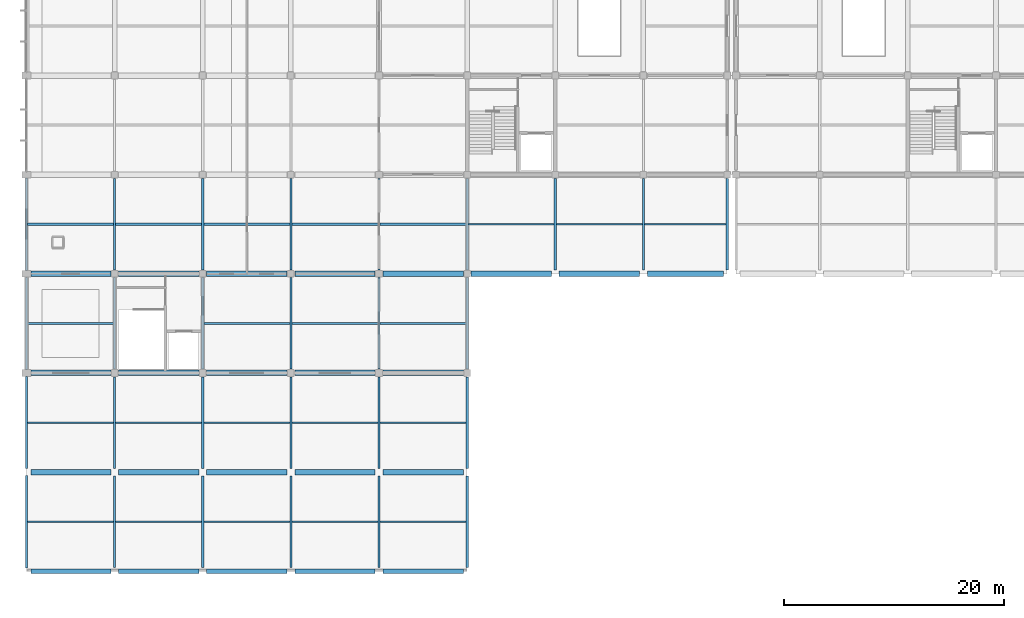
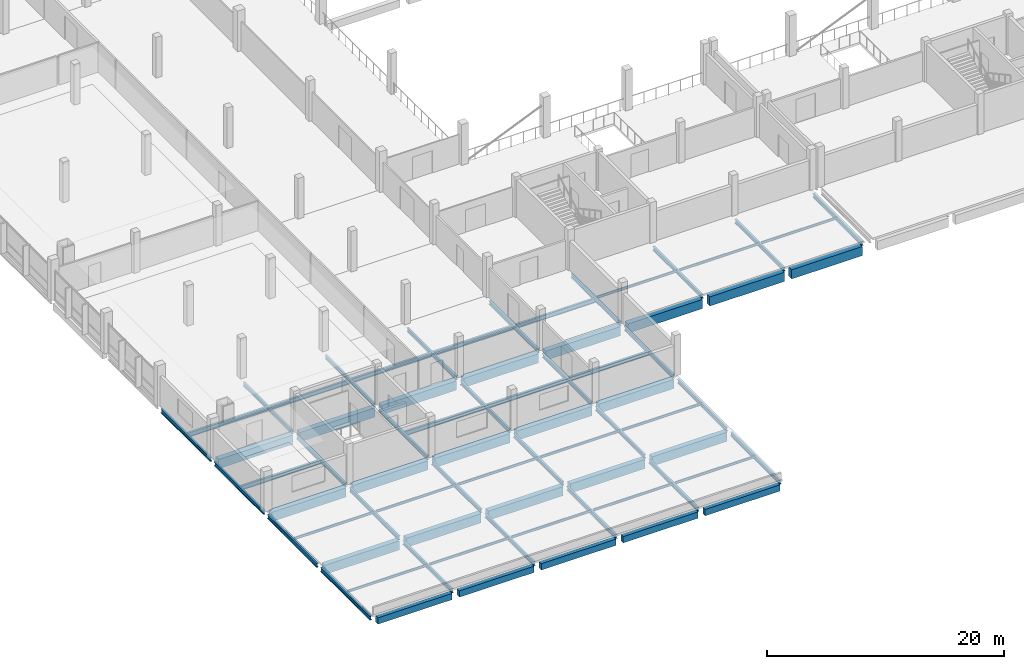
# One storey, part 6 of 57: 72 beams.
"""IFC4 building model written with IfcOpenShell, lengths in metres."""

from ifc_helpers import new_model, si_unit, direction, frame, origin, origin_2d, place, context, subcontext, project, spatial, rectangle, i_section, extrude, material, material_profile, profile_set, type_object, element, save


model = new_model("IFC4")

# Units and contexts
model_context = context("Model", 3, precision=1e-05, world=origin(), true_north=direction((0.0, 1.0)))
body_context = subcontext(model_context, "Body", "Model", "MODEL_VIEW")
ifc_project = project(units=[si_unit("LENGTHUNIT", "METRE"), si_unit("AREAUNIT", "SQUARE_METRE"), si_unit("VOLUMEUNIT", "CUBIC_METRE"), si_unit("PLANEANGLEUNIT", "RADIAN"), si_unit("MASSUNIT", "GRAM", prefix="KILO"), si_unit("THERMODYNAMICTEMPERATUREUNIT", "KELVIN"), si_unit("POWERUNIT", "WATT")], contexts=[model_context])

# Site, building, storey
site_placement = place(None, origin())
site = spatial("IfcSite", under=ifc_project, at=site_placement, CompositionType="ELEMENT")
building_placement = place(site_placement, origin())
building = spatial("IfcBuilding", under=site, at=building_placement, Name="Kronsvod Quay Wholesale Market", CompositionType="ELEMENT")
storey_placement = place(building_placement, frame((0.0, 0.0, 4.800048828125)))
storey = spatial("IfcBuildingStorey", under=building, at=storey_placement, Name="L01", CompositionType="ELEMENT", Elevation=4.800048828125)

# Beams
ifc_material_1 = material(Name="Steel S355", Category="steel")
ifc_material_profile_1 = material_profile(ifc_material_1, i_section(OverallWidth=0.125, OverallDepth=0.25, WebThickness=0.006103515625, FlangeThickness=0.009033203125, FilletRadius=0.011962890625, at=origin_2d()), Name="25B2")
ifc_profile_set_1 = profile_set([ifc_material_profile_1], Name="Steel S355")
beam_type_1 = type_object("IfcBeamType", Name="Beam_Steel25B2", PredefinedType="BEAM", material=ifc_profile_set_1)
for number, where, z_axis, x_axis, name in (
    (1, (0.094970703125, 4.5, -0.31494140625), (1.0, 0.0, 0.0), (0.0, 1.0, 0.0), "JSTX-L01-0-0"),
    (2, (0.094970703125, 13.5, -0.31494140625), (1.0, 0.0, 0.0), (0.0, 1.0, 0.0), "JSTX-L01-0-90"),
    (3, (8.094970703125, 4.5, -0.31494140625), (1.0, 0.0, 0.0), (0.0, 1.0, 0.0), "JSTX-L01-80-0"),
    (4, (8.094970703125, 13.5, -0.31494140625), (1.0, 0.0, 0.0), (0.0, 1.0, 0.0), "JSTX-L01-80-90"),
    (5, (16.094970703125, 4.5, -0.31494140625), (1.0, 0.0, 0.0), (0.0, 1.0, 0.0), "JSTX-L01-160-0"),
    (6, (16.094970703125, 13.5, -0.31494140625), (1.0, 0.0, 0.0), (0.0, 1.0, 0.0), "JSTX-L01-160-90"),
    (7, (24.094970703125, 4.5, -0.31494140625), (1.0, 0.0, 0.0), (0.0, 1.0, 0.0), "JSTX-L01-240-0"),
    (8, (24.094970703125, 13.5, -0.31494140625), (1.0, 0.0, 0.0), (0.0, 1.0, 0.0), "JSTX-L01-240-90"),
    (9, (32.094970703125, 4.5, -0.31494140625), (1.0, 0.0, 0.0), (0.0, 1.0, 0.0), "JSTX-L01-320-0"),
    (10, (32.094970703125, 13.5, -0.31494140625), (1.0, 0.0, 0.0), (0.0, 1.0, 0.0), "JSTX-L01-320-90"),
    (11, (40.094970703125, 31.5, -0.31494140625), (1.0, 0.0, 0.0), (0.0, 1.0, 0.0), "JSTX-L01-400-270"),
    (12, (48.094970703125, 31.5, -0.31494140625), (1.0, 0.0, 0.0), (0.0, 1.0, 0.0), "JSTX-L01-480-270"),
):
    element("IfcBeam", number, at=place(storey_placement, frame(where, z_axis=z_axis, x_axis=x_axis)), inside=storey, type_object=beam_type_1, Name=name, PredefinedType="BEAM", context=body_context, shape_type="SweptSolid", body=[
        extrude(i_section(OverallWidth=0.125, OverallDepth=0.25, WebThickness=0.006103515625, FlangeThickness=0.009033203125, FilletRadius=0.011962890625, at=origin_2d()), origin(), (0.0, 0.0, 1.0), 7.81005859375),
    ])
beam_1_placement = place(storey_placement, frame((56.094970703125, 31.5, -0.31494140625), z_axis=(1.0, 0.0, 0.0), x_axis=(0.0, 1.0, 0.0)))
element("IfcBeam", 13, at=beam_1_placement, inside=storey, type_object=beam_type_1, Name="JSTX-L01-560-270", PredefinedType="BEAM", context=body_context, shape_type="SweptSolid", body=[
    extrude(i_section(OverallWidth=0.125, OverallDepth=0.25, WebThickness=0.006103515625, FlangeThickness=0.009033203125, FilletRadius=0.011962890625, at=origin_2d()), origin(), (0.0, 0.0, 1.0), 7.409912109375),
])
ifc_material_2 = material(Name="Steel S355", Category="steel")
ifc_material_profile_2 = material_profile(ifc_material_2, i_section(OverallWidth=0.199951171875, OverallDepth=0.39990234375, WebThickness=0.008056640625, FlangeThickness=0.012939453125, FilletRadius=0.01611328125, at=origin_2d()), Name="40B2")
ifc_profile_set_2 = profile_set([ifc_material_profile_2], Name="Steel S355")
beam_type_2 = type_object("IfcBeamType", Name="Beam_Steel40B2", PredefinedType="BEAM", material=ifc_profile_set_2)
for number, where, z_axis, x_axis, name in (
    (14, (0.0, 0.31005859375, -0.5), (0.0, 1.0, 0.0), (-1.0, 0.0, 0.0), "BMY-L01-0-0"),
    (15, (0.0, 9.31005859375, -0.5), (0.0, 1.0, 0.0), (-1.0, 0.0, 0.0), "BMY-L01-0-90"),
    (16, (0.0, 18.31005859375, -0.5), (0.0, 1.0, 0.0), (-1.0, 0.0, 0.0), "BMY-L01-0-180"),
    (17, (0.0, 27.31005859375, -0.5), (0.0, 1.0, 0.0), (-1.0, 0.0, 0.0), "BMY-L01-0-270"),
):
    element("IfcBeam", number, at=place(storey_placement, frame(where, z_axis=z_axis, x_axis=x_axis)), inside=storey, type_object=beam_type_2, Name=name, PredefinedType="BEAM", context=body_context, shape_type="SweptSolid", body=[
        extrude(i_section(OverallWidth=0.199951171875, OverallDepth=0.39990234375, WebThickness=0.008056640625, FlangeThickness=0.012939453125, FilletRadius=0.01611328125, at=origin_2d()), origin(), (0.0, 0.0, 1.0), 8.3798828125),
    ])
for number, where, z_axis, x_axis, name in (
    (18, (8.0, 0.35009765625, -0.5), (0.0, 1.0, 0.0), (-1.0, 0.0, 0.0), "BMY-L01-80-0"),
    (19, (8.0, 9.35009765625, -0.5), (0.0, 1.0, 0.0), (-1.0, 0.0, 0.0), "BMY-L01-80-90"),
    (20, (8.0, 18.35009765625, -0.5), (0.0, 1.0, 0.0), (-1.0, 0.0, 0.0), "BMY-L01-80-180"),
    (21, (8.0, 27.35009765625, -0.5), (0.0, 1.0, 0.0), (-1.0, 0.0, 0.0), "BMY-L01-80-270"),
    (22, (16.0, 0.35009765625, -0.5), (0.0, 1.0, 0.0), (-1.0, 0.0, 0.0), "BMY-L01-160-0"),
    (23, (16.0, 9.35009765625, -0.5), (0.0, 1.0, 0.0), (-1.0, 0.0, 0.0), "BMY-L01-160-90"),
    (24, (16.0, 18.35009765625, -0.5), (0.0, 1.0, 0.0), (-1.0, 0.0, 0.0), "BMY-L01-160-180"),
    (25, (16.0, 27.35009765625, -0.5), (0.0, 1.0, 0.0), (-1.0, 0.0, 0.0), "BMY-L01-160-270"),
    (26, (24.0, 0.35009765625, -0.5), (0.0, 1.0, 0.0), (-1.0, 0.0, 0.0), "BMY-L01-240-0"),
    (27, (24.0, 9.35009765625, -0.5), (0.0, 1.0, 0.0), (-1.0, 0.0, 0.0), "BMY-L01-240-90"),
    (28, (24.0, 18.35009765625, -0.5), (0.0, 1.0, 0.0), (-1.0, 0.0, 0.0), "BMY-L01-240-180"),
    (29, (24.0, 27.35009765625, -0.5), (0.0, 1.0, 0.0), (-1.0, 0.0, 0.0), "BMY-L01-240-270"),
    (30, (32.0, 0.35009765625, -0.5), (0.0, 1.0, 0.0), (-1.0, 0.0, 0.0), "BMY-L01-320-0"),
    (31, (32.0, 9.35009765625, -0.5), (0.0, 1.0, 0.0), (-1.0, 0.0, 0.0), "BMY-L01-320-90"),
    (32, (32.0, 18.35009765625, -0.5), (0.0, 1.0, 0.0), (-1.0, 0.0, 0.0), "BMY-L01-320-180"),
    (33, (32.0, 27.35009765625, -0.5), (0.0, 1.0, 0.0), (-1.0, 0.0, 0.0), "BMY-L01-320-270"),
    (34, (40.0, 0.35009765625, -0.5), (0.0, 1.0, 0.0), (-1.0, 0.0, 0.0), "BMY-L01-400-0"),
    (35, (40.0, 9.35009765625, -0.5), (0.0, 1.0, 0.0), (-1.0, 0.0, 0.0), "BMY-L01-400-90"),
    (36, (40.0, 18.35009765625, -0.5), (0.0, 1.0, 0.0), (-1.0, 0.0, 0.0), "BMY-L01-400-180"),
    (37, (40.0, 27.35009765625, -0.5), (0.0, 1.0, 0.0), (-1.0, 0.0, 0.0), "BMY-L01-400-270"),
    (38, (48.0, 27.35009765625, -0.5), (0.0, 1.0, 0.0), (-1.0, 0.0, 0.0), "BMY-L01-480-270"),
    (39, (56.0, 27.35009765625, -0.5), (0.0, 1.0, 0.0), (-1.0, 0.0, 0.0), "BMY-L01-560-270"),
    (40, (63.60009765625, 27.35009765625, -0.5), (0.0, 1.0, 0.0), (-1.0, 0.0, 0.0), "BMY-L01-636-270"),
):
    element("IfcBeam", number, at=place(storey_placement, frame(where, z_axis=z_axis, x_axis=x_axis)), inside=storey, type_object=beam_type_2, Name=name, PredefinedType="BEAM", context=body_context, shape_type="SweptSolid", body=[
        extrude(i_section(OverallWidth=0.199951171875, OverallDepth=0.39990234375, WebThickness=0.008056640625, FlangeThickness=0.012939453125, FilletRadius=0.01611328125, at=origin_2d()), origin(), (0.0, 0.0, 1.0), 8.2998046875),
    ])
ifc_material_3 = material(Name="Steel S355", Category="steel")
ifc_material_profile_3 = material_profile(ifc_material_3, i_section(OverallWidth=0.199951171875, OverallDepth=0.449951171875, WebThickness=0.009033203125, FlangeThickness=0.013916015625, FilletRadius=0.01806640625, at=origin_2d()), Name="45B2")
ifc_profile_set_3 = profile_set([ifc_material_profile_3], Name="Steel S355")
beam_type_3 = type_object("IfcBeamType", Name="Beam_Steel45B2", PredefinedType="BEAM", material=ifc_profile_set_3)
for number, where, z_axis, x_axis, name in (
    (41, (0.094970703125, 22.5, -0.525146484375), (1.0, 0.0, 0.0), (0.0, 1.0, 0.0), "JSTX-L01-0-180"),
    (42, (0.094970703125, 31.5, -0.525146484375), (1.0, 0.0, 0.0), (0.0, 1.0, 0.0), "JSTX-L01-0-270"),
    (43, (8.094970703125, 31.5, -0.525146484375), (1.0, 0.0, 0.0), (0.0, 1.0, 0.0), "JSTX-L01-80-270"),
    (44, (16.094970703125, 22.5, -0.525146484375), (1.0, 0.0, 0.0), (0.0, 1.0, 0.0), "JSTX-L01-160-180"),
    (45, (16.094970703125, 31.5, -0.525146484375), (1.0, 0.0, 0.0), (0.0, 1.0, 0.0), "JSTX-L01-160-270"),
    (46, (24.094970703125, 22.5, -0.525146484375), (1.0, 0.0, 0.0), (0.0, 1.0, 0.0), "JSTX-L01-240-180"),
    (47, (24.094970703125, 31.5, -0.525146484375), (1.0, 0.0, 0.0), (0.0, 1.0, 0.0), "JSTX-L01-240-270"),
    (48, (32.094970703125, 22.5, -0.525146484375), (1.0, 0.0, 0.0), (0.0, 1.0, 0.0), "JSTX-L01-320-180"),
    (49, (32.094970703125, 31.5, -0.525146484375), (1.0, 0.0, 0.0), (0.0, 1.0, 0.0), "JSTX-L01-320-270"),
):
    element("IfcBeam", number, at=place(storey_placement, frame(where, z_axis=z_axis, x_axis=x_axis)), inside=storey, type_object=beam_type_3, Name=name, PredefinedType="BEAM", context=body_context, shape_type="SweptSolid", body=[
        extrude(i_section(OverallWidth=0.199951171875, OverallDepth=0.449951171875, WebThickness=0.009033203125, FlangeThickness=0.013916015625, FilletRadius=0.01806640625, at=origin_2d()), origin(), (0.0, 0.0, 1.0), 7.81005859375),
    ])
ifc_material_4 = material(Name="Precast concrete C40/50", Category="concrete")
ifc_material_profile_4 = material_profile(ifc_material_4, rectangle(XDim=0.5, YDim=0.949951171875, at=origin_2d()), Name="PCB500x950")
ifc_profile_set_4 = profile_set([ifc_material_profile_4], Name="Precast concrete C40/50")
beam_type_4 = type_object("IfcBeamType", Name="Girder_PCB500x950", PredefinedType="T_BEAM", material=ifc_profile_set_4)
beam_2_placement = place(storey_placement, frame((0.409912109375, 9.0, -0.775146484375), z_axis=(1.0, 0.0, 0.0), x_axis=(0.0, 1.0, 0.0)))
element("IfcBeam", 50, at=beam_2_placement, inside=storey, type_object=beam_type_4, Name="BMX-L01-0-90", PredefinedType="T_BEAM", context=body_context, shape_type="SweptSolid", body=[
    extrude(rectangle(XDim=0.5, YDim=0.949951171875, at=origin_2d()), origin(), (0.0, 0.0, 1.0), 7.239990234375),
])
for number, where, z_axis, x_axis, name in (
    (51, (8.35009765625, 9.0, -0.775146484375), (1.0, 0.0, 0.0), (0.0, 1.0, 0.0), "BMX-L01-80-90"),
    (52, (16.35009765625, 9.0, -0.775146484375), (1.0, 0.0, 0.0), (0.0, 1.0, 0.0), "BMX-L01-160-90"),
    (53, (24.35009765625, 9.0, -0.775146484375), (1.0, 0.0, 0.0), (0.0, 1.0, 0.0), "BMX-L01-240-90"),
    (54, (32.35009765625, 9.0, -0.775146484375), (1.0, 0.0, 0.0), (0.0, 1.0, 0.0), "BMX-L01-320-90"),
):
    element("IfcBeam", number, at=place(storey_placement, frame(where, z_axis=z_axis, x_axis=x_axis)), inside=storey, type_object=beam_type_4, Name=name, PredefinedType="T_BEAM", context=body_context, shape_type="SweptSolid", body=[
        extrude(rectangle(XDim=0.5, YDim=0.949951171875, at=origin_2d()), origin(), (0.0, 0.0, 1.0), 7.2998046875),
    ])
beam_3_placement = place(storey_placement, frame((0.409912109375, 18.0, -0.775146484375), z_axis=(1.0, 0.0, 0.0), x_axis=(0.0, 1.0, 0.0)))
element("IfcBeam", 55, at=beam_3_placement, inside=storey, type_object=beam_type_4, Name="BMX-L01-0-180", PredefinedType="T_BEAM", context=body_context, shape_type="SweptSolid", body=[
    extrude(rectangle(XDim=0.5, YDim=0.949951171875, at=origin_2d()), origin(), (0.0, 0.0, 1.0), 7.239990234375),
])
for number, where, z_axis, x_axis, name in (
    (56, (8.35009765625, 18.0, -0.775146484375), (1.0, 0.0, 0.0), (0.0, 1.0, 0.0), "BMX-L01-80-180"),
    (57, (16.35009765625, 18.0, -0.775146484375), (1.0, 0.0, 0.0), (0.0, 1.0, 0.0), "BMX-L01-160-180"),
    (58, (24.35009765625, 18.0, -0.775146484375), (1.0, 0.0, 0.0), (0.0, 1.0, 0.0), "BMX-L01-240-180"),
    (59, (32.35009765625, 18.0, -0.775146484375), (1.0, 0.0, 0.0), (0.0, 1.0, 0.0), "BMX-L01-320-180"),
):
    element("IfcBeam", number, at=place(storey_placement, frame(where, z_axis=z_axis, x_axis=x_axis)), inside=storey, type_object=beam_type_4, Name=name, PredefinedType="T_BEAM", context=body_context, shape_type="SweptSolid", body=[
        extrude(rectangle(XDim=0.5, YDim=0.949951171875, at=origin_2d()), origin(), (0.0, 0.0, 1.0), 7.2998046875),
    ])
beam_4_placement = place(storey_placement, frame((0.409912109375, 27.0, -0.775146484375), z_axis=(1.0, 0.0, 0.0), x_axis=(0.0, 1.0, 0.0)))
element("IfcBeam", 60, at=beam_4_placement, inside=storey, type_object=beam_type_4, Name="BMX-L01-0-270", PredefinedType="T_BEAM", context=body_context, shape_type="SweptSolid", body=[
    extrude(rectangle(XDim=0.5, YDim=0.949951171875, at=origin_2d()), origin(), (0.0, 0.0, 1.0), 7.239990234375),
])
for number, where, z_axis, x_axis, name in (
    (61, (8.35009765625, 27.0, -0.775146484375), (1.0, 0.0, 0.0), (0.0, 1.0, 0.0), "BMX-L01-80-270"),
    (62, (16.35009765625, 27.0, -0.775146484375), (1.0, 0.0, 0.0), (0.0, 1.0, 0.0), "BMX-L01-160-270"),
    (63, (24.35009765625, 27.0, -0.775146484375), (1.0, 0.0, 0.0), (0.0, 1.0, 0.0), "BMX-L01-240-270"),
    (64, (32.35009765625, 27.0, -0.775146484375), (1.0, 0.0, 0.0), (0.0, 1.0, 0.0), "BMX-L01-320-270"),
    (65, (40.35009765625, 27.0, -0.775146484375), (1.0, 0.0, 0.0), (0.0, 1.0, 0.0), "BMX-L01-400-270"),
    (66, (48.35009765625, 27.0, -0.775146484375), (1.0, 0.0, 0.0), (0.0, 1.0, 0.0), "BMX-L01-480-270"),
):
    element("IfcBeam", number, at=place(storey_placement, frame(where, z_axis=z_axis, x_axis=x_axis)), inside=storey, type_object=beam_type_4, Name=name, PredefinedType="T_BEAM", context=body_context, shape_type="SweptSolid", body=[
        extrude(rectangle(XDim=0.5, YDim=0.949951171875, at=origin_2d()), origin(), (0.0, 0.0, 1.0), 7.2998046875),
    ])
beam_5_placement = place(storey_placement, frame((56.35009765625, 27.0, -0.775146484375), z_axis=(1.0, 0.0, 0.0), x_axis=(0.0, 1.0, 0.0)))
element("IfcBeam", 67, at=beam_5_placement, inside=storey, type_object=beam_type_4, Name="BMX-L01-560-270", PredefinedType="T_BEAM", context=body_context, shape_type="SweptSolid", body=[
    extrude(rectangle(XDim=0.5, YDim=0.949951171875, at=origin_2d()), origin(), (0.0, 0.0, 1.0), 6.89990234375),
])
ifc_material_5 = material(Name="Precast concrete C40/50", Category="concrete")
ifc_material_profile_5 = material_profile(ifc_material_5, rectangle(XDim=0.3798828125, YDim=0.64990234375, at=origin_2d()), Name="SPB-03")
ifc_profile_set_5 = profile_set([ifc_material_profile_5], Name="Precast concrete C40/50")
beam_type_5 = type_object("IfcBeamType", Name="Spandrel_PCSP380x650", PredefinedType="SPANDREL", material=ifc_profile_set_5)
beam_6_placement = place(storey_placement, frame((0.409912109375, 0.0, -0.625), z_axis=(1.0, 0.0, 0.0), x_axis=(0.0, 1.0, 0.0)))
element("IfcBeam", 68, at=beam_6_placement, inside=storey, type_object=beam_type_5, Name="BMX-L01-0-0", PredefinedType="SPANDREL", context=body_context, shape_type="SweptSolid", body=[
    extrude(rectangle(XDim=0.3798828125, YDim=0.64990234375, at=origin_2d()), origin(), (0.0, 0.0, 1.0), 7.239990234375),
])
for number, where, z_axis, x_axis, name in (
    (69, (8.35009765625, 0.0, -0.625), (1.0, 0.0, 0.0), (0.0, 1.0, 0.0), "BMX-L01-80-0"),
    (70, (16.35009765625, 0.0, -0.625), (1.0, 0.0, 0.0), (0.0, 1.0, 0.0), "BMX-L01-160-0"),
    (71, (24.35009765625, 0.0, -0.625), (1.0, 0.0, 0.0), (0.0, 1.0, 0.0), "BMX-L01-240-0"),
    (72, (32.35009765625, 0.0, -0.625), (1.0, 0.0, 0.0), (0.0, 1.0, 0.0), "BMX-L01-320-0"),
):
    element("IfcBeam", number, at=place(storey_placement, frame(where, z_axis=z_axis, x_axis=x_axis)), inside=storey, type_object=beam_type_5, Name=name, PredefinedType="SPANDREL", context=body_context, shape_type="SweptSolid", body=[
        extrude(rectangle(XDim=0.3798828125, YDim=0.64990234375, at=origin_2d()), origin(), (0.0, 0.0, 1.0), 7.2998046875),
    ])

save(model, "model.ifc")
